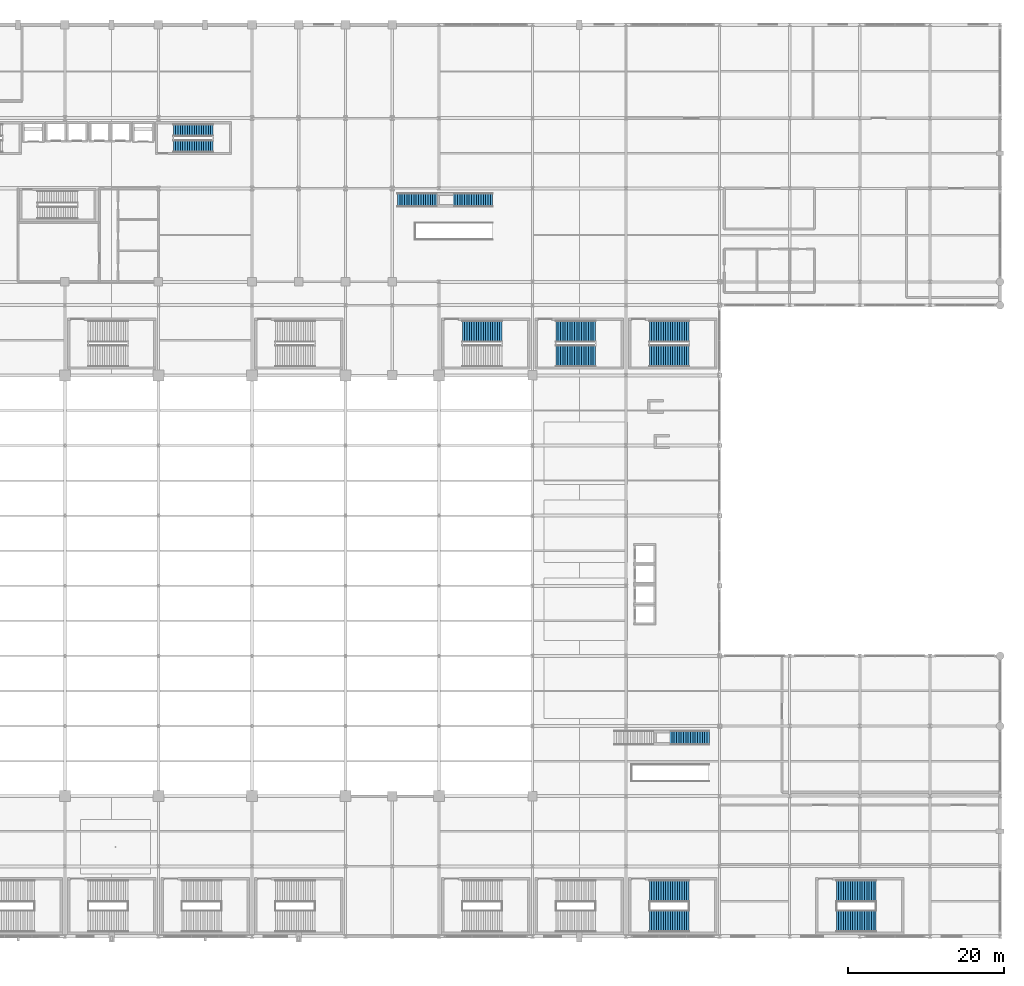
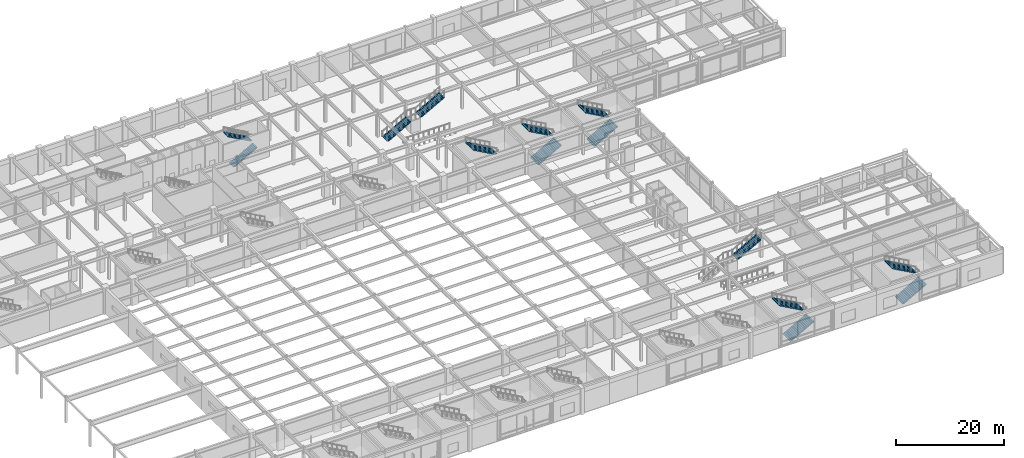
# One storey, part 94 of 105: 14 stair flights, 8 elements without a shape of their own.
"""IFC4 building model written with IfcOpenShell, lengths in metres."""

from ifc_helpers import new_model, si_unit, direction, frame, origin, place, context, subcontext, project, spatial, polyline, outline, extrude, material, type_object, element, aggregate, save


model = new_model("IFC4")

# Units and contexts
model_context = context("Model", 3, precision=1e-05, world=origin(), true_north=direction((0.0, 1.0)))
body_context = subcontext(model_context, "Body", "Model", "MODEL_VIEW")
ifc_project = project(units=[si_unit("LENGTHUNIT", "METRE"), si_unit("AREAUNIT", "SQUARE_METRE"), si_unit("VOLUMEUNIT", "CUBIC_METRE"), si_unit("PLANEANGLEUNIT", "RADIAN"), si_unit("MASSUNIT", "GRAM", prefix="KILO")], contexts=[model_context])

# Site, building, storey
site_placement = place(None, origin())
site = spatial("IfcSite", under=ifc_project, at=site_placement, CompositionType="ELEMENT")
building_placement = place(site_placement, origin())
building = spatial("IfcBuilding", under=site, at=building_placement, Name="Kaldorvane Square Convention Centre", CompositionType="ELEMENT")
storey_placement = place(building_placement, frame((0.0, 0.0, 6.0)))
storey = spatial("IfcBuildingStorey", under=building, at=storey_placement, Name="L01", CompositionType="ELEMENT", Elevation=6.0)

# Stair, stair flight
ifc_material_1 = material(Name="Steel ASTM A500 Gr. C", Category="steel")
stair_type_1 = type_object("IfcStairType", Name="ST-STR-1800-6000", PredefinedType="STRAIGHT_RUN_STAIR", material=ifc_material_1)
stair_1_placement = place(storey_placement, origin())
stair_1 = element("IfcStair", 1, at=stair_1_placement, inside=storey, type_object=stair_type_1, Name="East Foyer Grand Stair F2 (L01)", PredefinedType="STRAIGHT_RUN_STAIR")
stair_flight_type_1 = type_object("IfcStairFlightType", Name="SF-FEAT-1800-18R", PredefinedType="STRAIGHT", material=ifc_material_1)
stair_flight_1_placement = place(storey_placement, frame((131.5800018310547, 25.5, 3.0), z_axis=(0.0, 0.0, 1.0), x_axis=(1.0, 0.0, 0.0)))
stair_flight_1 = element("IfcStairFlight", 2, at=stair_flight_1_placement, type_object=stair_flight_type_1, Name="East Foyer Grand Stair F2 Upper Flight (L01)", NumberOfRisers=18, NumberOfTreads=17, PredefinedType="STRAIGHT", RiserHeight=0.166666667, TreadLength=0.3, context=body_context, shape_type="SweptSolid", body=[
    extrude(outline(polyline([(0.0, 0.0), (0.0, 0.1666717529296875), (0.3000030517578125, 0.1666717529296875), (0.3000030517578125, 0.3333282470703125), (0.600006103515625, 0.3333282470703125), (0.600006103515625, 0.5), (0.899993896484375, 0.5), (0.899993896484375, 0.6666717529296875), (1.1999969482421875, 0.6666717529296875), (1.1999969482421875, 0.8333282470703125), (1.5, 0.8333282470703125), (1.5, 1.0), (1.8000030517578125, 1.0), (1.8000030517578125, 1.1666717529296875), (2.100006103515625, 1.1666717529296875), (2.100006103515625, 1.3333282470703125), (2.399993896484375, 1.3333282470703125), (2.399993896484375, 1.5), (2.6999969482421875, 1.5), (2.6999969482421875, 1.6666717529296875), (3.0, 1.6666717529296875), (3.0, 1.8333282470703125), (3.3000030517578125, 1.8333282470703125), (3.3000030517578125, 2.0), (3.600006103515625, 2.0), (3.600006103515625, 2.1666717529296875), (3.899993896484375, 2.1666717529296875), (3.899993896484375, 2.3333282470703125), (4.1999969482421875, 2.3333282470703125), (4.1999969482421875, 2.5), (4.5, 2.5), (4.5, 2.6666717529296875), (4.8000030517578125, 2.6666717529296875), (4.8000030517578125, 2.8333282470703125), (5.100006103515625, 2.8333282470703125), (5.100006103515625, 3.0), (5.100006103515625, 2.6045379638671875), (0.4118194580078125, 0.0), (0.0, 0.0)])), frame((0.0, 0.899993896484375, 0.0), z_axis=(0.0, -1.0, 0.0), x_axis=(1.0, 0.0, 0.0)), (0.0, 0.0, 1.0), 1.8000030517578125),
])
aggregate(stair_1, [stair_flight_1])

# Stair, stair flights
stair_2_placement = place(storey_placement, origin())
stair_2 = element("IfcStair", 3, at=stair_2_placement, inside=storey, type_object=stair_type_1, Name="Hotel Atrium Grand Stair F6 (L01)", PredefinedType="STRAIGHT_RUN_STAIR")
stair_flight_2_placement = place(storey_placement, frame((96.67999267578125, 94.5, 0.0), z_axis=(0.0, 0.0, 1.0), x_axis=(1.0, 0.0, 0.0)))
stair_flight_2 = element("IfcStairFlight", 4, at=stair_flight_2_placement, type_object=stair_flight_type_1, Name="Hotel Atrium Grand Stair F6 Lower Flight (L01)", NumberOfRisers=18, NumberOfTreads=17, PredefinedType="STRAIGHT", RiserHeight=0.166666667, TreadLength=0.3, context=body_context, shape_type="SweptSolid", body=[
    extrude(outline(polyline([(0.0, 0.0), (0.0, 0.1666717529296875), (0.3000030517578125, 0.1666717529296875), (0.3000030517578125, 0.3333282470703125), (0.600006103515625, 0.3333282470703125), (0.600006103515625, 0.5), (0.899993896484375, 0.5), (0.899993896484375, 0.6666717529296875), (1.1999969482421875, 0.6666717529296875), (1.1999969482421875, 0.8333282470703125), (1.5, 0.8333282470703125), (1.5, 1.0), (1.8000030517578125, 1.0), (1.8000030517578125, 1.1666717529296875), (2.100006103515625, 1.1666717529296875), (2.100006103515625, 1.3333282470703125), (2.399993896484375, 1.3333282470703125), (2.399993896484375, 1.5), (2.6999969482421875, 1.5), (2.6999969482421875, 1.6666717529296875), (3.0, 1.6666717529296875), (3.0, 1.8333282470703125), (3.3000030517578125, 1.8333282470703125), (3.3000030517578125, 2.0), (3.600006103515625, 2.0), (3.600006103515625, 2.1666717529296875), (3.899993896484375, 2.1666717529296875), (3.899993896484375, 2.3333282470703125), (4.1999969482421875, 2.3333282470703125), (4.1999969482421875, 2.5), (4.5, 2.5), (4.5, 2.6666717529296875), (4.8000030517578125, 2.6666717529296875), (4.8000030517578125, 2.8333282470703125), (5.100006103515625, 2.8333282470703125), (5.100006103515625, 3.0), (5.100006103515625, 2.6045379638671875), (0.4118194580078125, 0.0), (0.0, 0.0)])), frame((0.0, 0.899993896484375, 0.0), z_axis=(0.0, -1.0, 0.0), x_axis=(1.0, 0.0, 0.0)), (0.0, 0.0, 1.0), 1.8000030517578125),
])
stair_flight_3_placement = place(storey_placement, frame((103.77999877929688, 94.5, 3.0), z_axis=(0.0, 0.0, 1.0), x_axis=(1.0, 0.0, 0.0)))
stair_flight_3 = element("IfcStairFlight", 5, at=stair_flight_3_placement, type_object=stair_flight_type_1, Name="Hotel Atrium Grand Stair F6 Upper Flight (L01)", NumberOfRisers=18, NumberOfTreads=17, PredefinedType="STRAIGHT", RiserHeight=0.166666667, TreadLength=0.3, context=body_context, shape_type="SweptSolid", body=[
    extrude(outline(polyline([(0.0, 0.0), (0.0, 0.1666717529296875), (0.3000030517578125, 0.1666717529296875), (0.3000030517578125, 0.3333282470703125), (0.600006103515625, 0.3333282470703125), (0.600006103515625, 0.5), (0.899993896484375, 0.5), (0.899993896484375, 0.6666717529296875), (1.1999969482421875, 0.6666717529296875), (1.1999969482421875, 0.8333282470703125), (1.5, 0.8333282470703125), (1.5, 1.0), (1.8000030517578125, 1.0), (1.8000030517578125, 1.1666717529296875), (2.100006103515625, 1.1666717529296875), (2.100006103515625, 1.3333282470703125), (2.399993896484375, 1.3333282470703125), (2.399993896484375, 1.5), (2.6999969482421875, 1.5), (2.6999969482421875, 1.6666717529296875), (3.0, 1.6666717529296875), (3.0, 1.8333282470703125), (3.3000030517578125, 1.8333282470703125), (3.3000030517578125, 2.0), (3.600006103515625, 2.0), (3.600006103515625, 2.1666717529296875), (3.899993896484375, 2.1666717529296875), (3.899993896484375, 2.3333282470703125), (4.1999969482421875, 2.3333282470703125), (4.1999969482421875, 2.5), (4.5, 2.5), (4.5, 2.6666717529296875), (4.8000030517578125, 2.6666717529296875), (4.8000030517578125, 2.8333282470703125), (5.100006103515625, 2.8333282470703125), (5.100006103515625, 3.0), (5.100006103515625, 2.6045379638671875), (0.4118194580078125, 0.0), (0.0, 0.0)])), frame((0.0, 0.899993896484375, 0.0), z_axis=(0.0, -1.0, 0.0), x_axis=(1.0, 0.0, 0.0)), (0.0, 0.0, 1.0), 1.8000030517578125),
])
aggregate(stair_2, [stair_flight_2, stair_flight_3])

ifc_material_2 = material(Name="Concrete f'c = 42 MPa (Normalweight)", Category="concrete")
stair_type_2 = type_object("IfcStairType", Name="ST-DL-1600-6000", PredefinedType="HALF_TURN_STAIR", material=ifc_material_2)
stair_3_placement = place(storey_placement, origin())
stair_3 = element("IfcStair", 6, at=stair_3_placement, inside=storey, type_object=stair_type_2, Name="Tower Exit Stair T2 (L01)", PredefinedType="HALF_TURN_STAIR")
stair_flight_type_2 = type_object("IfcStairFlightType", Name="SF-STR-1600-18R", PredefinedType="STRAIGHT", material=ifc_material_2)
stair_flight_4_placement = place(storey_placement, frame((67.89999389648438, 101.41000366210938, 0.0), z_axis=(0.0, 0.0, 1.0), x_axis=(1.0, 0.0, 0.0)))
stair_flight_4 = element("IfcStairFlight", 7, at=stair_flight_4_placement, type_object=stair_flight_type_2, Name="Tower Exit Stair T2 Flight 1 (L01)", NumberOfRisers=18, NumberOfTreads=17, PredefinedType="STRAIGHT", RiserHeight=0.166666667, TreadLength=0.3, context=body_context, shape_type="SweptSolid", body=[
    extrude(outline(polyline([(0.0, 0.0), (0.0, 0.1666717529296875), (0.3000030517578125, 0.1666717529296875), (0.3000030517578125, 0.3333282470703125), (0.600006103515625, 0.3333282470703125), (0.600006103515625, 0.5), (0.899993896484375, 0.5), (0.899993896484375, 0.6666717529296875), (1.1999969482421875, 0.6666717529296875), (1.1999969482421875, 0.8333282470703125), (1.5, 0.8333282470703125), (1.5, 1.0), (1.8000030517578125, 1.0), (1.8000030517578125, 1.1666717529296875), (2.100006103515625, 1.1666717529296875), (2.100006103515625, 1.3333282470703125), (2.399993896484375, 1.3333282470703125), (2.399993896484375, 1.5), (2.6999969482421875, 1.5), (2.6999969482421875, 1.6666717529296875), (3.0, 1.6666717529296875), (3.0, 1.8333282470703125), (3.3000030517578125, 1.8333282470703125), (3.3000030517578125, 2.0), (3.600006103515625, 2.0), (3.600006103515625, 2.1666717529296875), (3.899993896484375, 2.1666717529296875), (3.899993896484375, 2.3333282470703125), (4.1999969482421875, 2.3333282470703125), (4.1999969482421875, 2.5), (4.5, 2.5), (4.5, 2.6666717529296875), (4.8000030517578125, 2.6666717529296875), (4.8000030517578125, 2.8333282470703125), (5.100006103515625, 2.8333282470703125), (5.100006103515625, 3.0), (5.100006103515625, 2.6045379638671875), (0.4118194580078125, 0.0), (0.0, 0.0)])), frame((0.0, 0.8000030517578125, 0.0), z_axis=(0.0, -1.0, 0.0), x_axis=(1.0, 0.0, 0.0)), (0.0, 0.0, 1.0), 1.600006103515625),
])
stair_flight_5_placement = place(storey_placement, frame((73.0, 103.44999694824219, 3.0), z_axis=(0.0, 0.0, 1.0), x_axis=(-1.0, 0.0, 0.0)))
stair_flight_5 = element("IfcStairFlight", 8, at=stair_flight_5_placement, type_object=stair_flight_type_2, Name="Tower Exit Stair T2 Flight 2 (L01)", NumberOfRisers=18, NumberOfTreads=17, PredefinedType="STRAIGHT", RiserHeight=0.166666667, TreadLength=0.3, context=body_context, shape_type="SweptSolid", body=[
    extrude(outline(polyline([(0.0, 0.0), (0.0, 0.1666717529296875), (0.3000030517578125, 0.1666717529296875), (0.3000030517578125, 0.3333282470703125), (0.600006103515625, 0.3333282470703125), (0.600006103515625, 0.5), (0.899993896484375, 0.5), (0.899993896484375, 0.6666717529296875), (1.1999969482421875, 0.6666717529296875), (1.1999969482421875, 0.8333282470703125), (1.5, 0.8333282470703125), (1.5, 1.0), (1.8000030517578125, 1.0), (1.8000030517578125, 1.1666717529296875), (2.100006103515625, 1.1666717529296875), (2.100006103515625, 1.3333282470703125), (2.399993896484375, 1.3333282470703125), (2.399993896484375, 1.5), (2.6999969482421875, 1.5), (2.6999969482421875, 1.6666717529296875), (3.0, 1.6666717529296875), (3.0, 1.8333282470703125), (3.3000030517578125, 1.8333282470703125), (3.3000030517578125, 2.0), (3.600006103515625, 2.0), (3.600006103515625, 2.1666717529296875), (3.899993896484375, 2.1666717529296875), (3.899993896484375, 2.3333282470703125), (4.1999969482421875, 2.3333282470703125), (4.1999969482421875, 2.5), (4.5, 2.5), (4.5, 2.6666717529296875), (4.8000030517578125, 2.6666717529296875), (4.8000030517578125, 2.8333282470703125), (5.100006103515625, 2.8333282470703125), (5.100006103515625, 3.0), (5.100006103515625, 2.6045379638671875), (0.4118194580078125, 0.0), (0.0, 0.0)])), frame((0.0, 0.8000030517578125, 0.0), z_axis=(0.0, -1.0, 0.0), x_axis=(1.0, 0.0, 0.0)), (0.0, 0.0, 1.0), 1.600006103515625),
])
aggregate(stair_3, [stair_flight_4, stair_flight_5])

stair_type_3 = type_object("IfcStairType", Name="ST-DL-2800-6000-D6710", PredefinedType="HALF_TURN_STAIR", material=ifc_material_2)
stair_4_placement = place(storey_placement, origin())
stair_4 = element("IfcStair", 9, at=stair_4_placement, inside=storey, type_object=stair_type_3, Name="Convention Exit Stair C10 (L01)", PredefinedType="HALF_TURN_STAIR")
stair_flight_type_3 = type_object("IfcStairFlightType", Name="SF-STR-2800-18R", PredefinedType="STRAIGHT", material=ifc_material_2)
stair_flight_6_placement = place(storey_placement, frame((128.99000549316406, 1.9499969482421875, 0.0), z_axis=(0.0, 0.0, 1.0), x_axis=(1.0, 0.0, 0.0)))
stair_flight_6 = element("IfcStairFlight", 10, at=stair_flight_6_placement, type_object=stair_flight_type_3, Name="Convention Exit Stair C10 Flight 1 (L01)", NumberOfRisers=18, NumberOfTreads=17, PredefinedType="STRAIGHT", RiserHeight=0.166666667, TreadLength=0.3, context=body_context, shape_type="SweptSolid", body=[
    extrude(outline(polyline([(0.0, 0.0), (0.0, 0.1666717529296875), (0.3000030517578125, 0.1666717529296875), (0.3000030517578125, 0.3333282470703125), (0.600006103515625, 0.3333282470703125), (0.600006103515625, 0.5), (0.899993896484375, 0.5), (0.899993896484375, 0.6666717529296875), (1.1999969482421875, 0.6666717529296875), (1.1999969482421875, 0.8333282470703125), (1.5, 0.8333282470703125), (1.5, 1.0), (1.8000030517578125, 1.0), (1.8000030517578125, 1.1666717529296875), (2.100006103515625, 1.1666717529296875), (2.100006103515625, 1.3333282470703125), (2.399993896484375, 1.3333282470703125), (2.399993896484375, 1.5), (2.6999969482421875, 1.5), (2.6999969482421875, 1.6666717529296875), (3.0, 1.6666717529296875), (3.0, 1.8333282470703125), (3.3000030517578125, 1.8333282470703125), (3.3000030517578125, 2.0), (3.600006103515625, 2.0), (3.600006103515625, 2.1666717529296875), (3.899993896484375, 2.1666717529296875), (3.899993896484375, 2.3333282470703125), (4.1999969482421875, 2.3333282470703125), (4.1999969482421875, 2.5), (4.5, 2.5), (4.5, 2.6666717529296875), (4.8000030517578125, 2.6666717529296875), (4.8000030517578125, 2.8333282470703125), (5.100006103515625, 2.8333282470703125), (5.100006103515625, 3.0), (5.100006103515625, 2.6045379638671875), (0.4118194580078125, 0.0), (0.0, 0.0)])), frame((0.0, 1.399993896484375, 0.0), z_axis=(0.0, -1.0, 0.0), x_axis=(1.0, 0.0, 0.0)), (0.0, 0.0, 1.0), 2.8000030517578125),
])
stair_flight_7_placement = place(storey_placement, frame((134.08999633789062, 5.8600006103515625, 3.0), z_axis=(0.0, 0.0, 1.0), x_axis=(-1.0, 0.0, 0.0)))
stair_flight_7 = element("IfcStairFlight", 11, at=stair_flight_7_placement, type_object=stair_flight_type_3, Name="Convention Exit Stair C10 Flight 2 (L01)", NumberOfRisers=18, NumberOfTreads=17, PredefinedType="STRAIGHT", RiserHeight=0.166666667, TreadLength=0.3, context=body_context, shape_type="SweptSolid", body=[
    extrude(outline(polyline([(0.0, 0.0), (0.0, 0.1666717529296875), (0.3000030517578125, 0.1666717529296875), (0.3000030517578125, 0.3333282470703125), (0.600006103515625, 0.3333282470703125), (0.600006103515625, 0.5), (0.899993896484375, 0.5), (0.899993896484375, 0.6666717529296875), (1.1999969482421875, 0.6666717529296875), (1.1999969482421875, 0.8333282470703125), (1.5, 0.8333282470703125), (1.5, 1.0), (1.8000030517578125, 1.0), (1.8000030517578125, 1.1666717529296875), (2.100006103515625, 1.1666717529296875), (2.100006103515625, 1.3333282470703125), (2.399993896484375, 1.3333282470703125), (2.399993896484375, 1.5), (2.6999969482421875, 1.5), (2.6999969482421875, 1.6666717529296875), (3.0, 1.6666717529296875), (3.0, 1.8333282470703125), (3.3000030517578125, 1.8333282470703125), (3.3000030517578125, 2.0), (3.600006103515625, 2.0), (3.600006103515625, 2.1666717529296875), (3.899993896484375, 2.1666717529296875), (3.899993896484375, 2.3333282470703125), (4.1999969482421875, 2.3333282470703125), (4.1999969482421875, 2.5), (4.5, 2.5), (4.5, 2.6666717529296875), (4.8000030517578125, 2.6666717529296875), (4.8000030517578125, 2.8333282470703125), (5.100006103515625, 2.8333282470703125), (5.100006103515625, 3.0), (5.100006103515625, 2.6045379638671875), (0.4118194580078125, 0.0), (0.0, 0.0)])), frame((0.0, 1.399993896484375, 0.0), z_axis=(0.0, -1.0, 0.0), x_axis=(1.0, 0.0, 0.0)), (0.0, 0.0, 1.0), 2.8000030517578125),
])
aggregate(stair_4, [stair_flight_6, stair_flight_7])

stair_5_placement = place(storey_placement, origin())
stair_5 = element("IfcStair", 12, at=stair_5_placement, inside=storey, type_object=stair_type_3, Name="Convention Exit Stair C11 (L01)", PredefinedType="HALF_TURN_STAIR")
stair_flight_8_placement = place(storey_placement, frame((152.99000549316406, 1.9499969482421875, 0.0), z_axis=(0.0, 0.0, 1.0), x_axis=(1.0, 0.0, 0.0)))
stair_flight_8 = element("IfcStairFlight", 13, at=stair_flight_8_placement, type_object=stair_flight_type_3, Name="Convention Exit Stair C11 Flight 1 (L01)", NumberOfRisers=18, NumberOfTreads=17, PredefinedType="STRAIGHT", RiserHeight=0.166666667, TreadLength=0.3, context=body_context, shape_type="SweptSolid", body=[
    extrude(outline(polyline([(0.0, 0.0), (0.0, 0.1666717529296875), (0.3000030517578125, 0.1666717529296875), (0.3000030517578125, 0.3333282470703125), (0.600006103515625, 0.3333282470703125), (0.600006103515625, 0.5), (0.899993896484375, 0.5), (0.899993896484375, 0.6666717529296875), (1.1999969482421875, 0.6666717529296875), (1.1999969482421875, 0.8333282470703125), (1.5, 0.8333282470703125), (1.5, 1.0), (1.8000030517578125, 1.0), (1.8000030517578125, 1.1666717529296875), (2.100006103515625, 1.1666717529296875), (2.100006103515625, 1.3333282470703125), (2.399993896484375, 1.3333282470703125), (2.399993896484375, 1.5), (2.6999969482421875, 1.5), (2.6999969482421875, 1.6666717529296875), (3.0, 1.6666717529296875), (3.0, 1.8333282470703125), (3.3000030517578125, 1.8333282470703125), (3.3000030517578125, 2.0), (3.600006103515625, 2.0), (3.600006103515625, 2.1666717529296875), (3.899993896484375, 2.1666717529296875), (3.899993896484375, 2.3333282470703125), (4.1999969482421875, 2.3333282470703125), (4.1999969482421875, 2.5), (4.5, 2.5), (4.5, 2.6666717529296875), (4.8000030517578125, 2.6666717529296875), (4.8000030517578125, 2.8333282470703125), (5.100006103515625, 2.8333282470703125), (5.100006103515625, 3.0), (5.100006103515625, 2.6045379638671875), (0.4118194580078125, 0.0), (0.0, 0.0)])), frame((0.0, 1.399993896484375, 0.0), z_axis=(0.0, -1.0, 0.0), x_axis=(1.0, 0.0, 0.0)), (0.0, 0.0, 1.0), 2.8000030517578125),
])
stair_flight_9_placement = place(storey_placement, frame((158.08999633789062, 5.8600006103515625, 3.0), z_axis=(0.0, 0.0, 1.0), x_axis=(-1.0, 0.0, 0.0)))
stair_flight_9 = element("IfcStairFlight", 14, at=stair_flight_9_placement, type_object=stair_flight_type_3, Name="Convention Exit Stair C11 Flight 2 (L01)", NumberOfRisers=18, NumberOfTreads=17, PredefinedType="STRAIGHT", RiserHeight=0.166666667, TreadLength=0.3, context=body_context, shape_type="SweptSolid", body=[
    extrude(outline(polyline([(0.0, 0.0), (0.0, 0.1666717529296875), (0.3000030517578125, 0.1666717529296875), (0.3000030517578125, 0.3333282470703125), (0.600006103515625, 0.3333282470703125), (0.600006103515625, 0.5), (0.899993896484375, 0.5), (0.899993896484375, 0.6666717529296875), (1.1999969482421875, 0.6666717529296875), (1.1999969482421875, 0.8333282470703125), (1.5, 0.8333282470703125), (1.5, 1.0), (1.8000030517578125, 1.0), (1.8000030517578125, 1.1666717529296875), (2.100006103515625, 1.1666717529296875), (2.100006103515625, 1.3333282470703125), (2.399993896484375, 1.3333282470703125), (2.399993896484375, 1.5), (2.6999969482421875, 1.5), (2.6999969482421875, 1.6666717529296875), (3.0, 1.6666717529296875), (3.0, 1.8333282470703125), (3.3000030517578125, 1.8333282470703125), (3.3000030517578125, 2.0), (3.600006103515625, 2.0), (3.600006103515625, 2.1666717529296875), (3.899993896484375, 2.1666717529296875), (3.899993896484375, 2.3333282470703125), (4.1999969482421875, 2.3333282470703125), (4.1999969482421875, 2.5), (4.5, 2.5), (4.5, 2.6666717529296875), (4.8000030517578125, 2.6666717529296875), (4.8000030517578125, 2.8333282470703125), (5.100006103515625, 2.8333282470703125), (5.100006103515625, 3.0), (5.100006103515625, 2.6045379638671875), (0.4118194580078125, 0.0), (0.0, 0.0)])), frame((0.0, 1.399993896484375, 0.0), z_axis=(0.0, -1.0, 0.0), x_axis=(1.0, 0.0, 0.0)), (0.0, 0.0, 1.0), 2.8000030517578125),
])
aggregate(stair_5, [stair_flight_8, stair_flight_9])

# Stair, stair flight
stair_type_4 = type_object("IfcStairType", Name="ST-DL-2800-6000", PredefinedType="HALF_TURN_STAIR", material=ifc_material_2)
stair_6_placement = place(storey_placement, origin())
stair_6 = element("IfcStair", 15, at=stair_6_placement, inside=storey, type_object=stair_type_4, Name="Convention Exit Stair C16 (L01)", PredefinedType="HALF_TURN_STAIR")
stair_flight_10_placement = place(storey_placement, frame((110.08999633789062, 77.66000366210938, 3.0), z_axis=(0.0, 0.0, 1.0), x_axis=(-1.0, 0.0, 0.0)))
stair_flight_10 = element("IfcStairFlight", 16, at=stair_flight_10_placement, type_object=stair_flight_type_3, Name="Convention Exit Stair C16 Flight 2 (L01)", NumberOfRisers=18, NumberOfTreads=17, PredefinedType="STRAIGHT", RiserHeight=0.166666667, TreadLength=0.3, context=body_context, shape_type="SweptSolid", body=[
    extrude(outline(polyline([(0.0, 0.0), (0.0, 0.1666717529296875), (0.3000030517578125, 0.1666717529296875), (0.3000030517578125, 0.3333282470703125), (0.600006103515625, 0.3333282470703125), (0.600006103515625, 0.5), (0.899993896484375, 0.5), (0.899993896484375, 0.6666717529296875), (1.1999969482421875, 0.6666717529296875), (1.1999969482421875, 0.8333282470703125), (1.5, 0.8333282470703125), (1.5, 1.0), (1.8000030517578125, 1.0), (1.8000030517578125, 1.1666717529296875), (2.100006103515625, 1.1666717529296875), (2.100006103515625, 1.3333282470703125), (2.399993896484375, 1.3333282470703125), (2.399993896484375, 1.5), (2.6999969482421875, 1.5), (2.6999969482421875, 1.6666717529296875), (3.0, 1.6666717529296875), (3.0, 1.8333282470703125), (3.3000030517578125, 1.8333282470703125), (3.3000030517578125, 2.0), (3.600006103515625, 2.0), (3.600006103515625, 2.1666717529296875), (3.899993896484375, 2.1666717529296875), (3.899993896484375, 2.3333282470703125), (4.1999969482421875, 2.3333282470703125), (4.1999969482421875, 2.5), (4.5, 2.5), (4.5, 2.6666717529296875), (4.8000030517578125, 2.6666717529296875), (4.8000030517578125, 2.8333282470703125), (5.100006103515625, 2.8333282470703125), (5.100006103515625, 3.0), (5.100006103515625, 2.6045379638671875), (0.4118194580078125, 0.0), (0.0, 0.0)])), frame((0.0, 1.399993896484375, 0.0), z_axis=(0.0, -1.0, 0.0), x_axis=(1.0, 0.0, 0.0)), (0.0, 0.0, 1.0), 2.8000030517578125),
])
aggregate(stair_6, [stair_flight_10])

# Stair, stair flights
stair_7_placement = place(storey_placement, origin())
stair_7 = element("IfcStair", 17, at=stair_7_placement, inside=storey, type_object=stair_type_4, Name="Convention Exit Stair C17 (L01)", PredefinedType="HALF_TURN_STAIR")
stair_flight_11_placement = place(storey_placement, frame((116.99000549316406, 74.5, 0.0), z_axis=(0.0, 0.0, 1.0), x_axis=(1.0, 0.0, 0.0)))
stair_flight_11 = element("IfcStairFlight", 18, at=stair_flight_11_placement, type_object=stair_flight_type_3, Name="Convention Exit Stair C17 Flight 1 (L01)", NumberOfRisers=18, NumberOfTreads=17, PredefinedType="STRAIGHT", RiserHeight=0.166666667, TreadLength=0.3, context=body_context, shape_type="SweptSolid", body=[
    extrude(outline(polyline([(0.0, 0.0), (0.0, 0.1666717529296875), (0.3000030517578125, 0.1666717529296875), (0.3000030517578125, 0.3333282470703125), (0.600006103515625, 0.3333282470703125), (0.600006103515625, 0.5), (0.899993896484375, 0.5), (0.899993896484375, 0.6666717529296875), (1.1999969482421875, 0.6666717529296875), (1.1999969482421875, 0.8333282470703125), (1.5, 0.8333282470703125), (1.5, 1.0), (1.8000030517578125, 1.0), (1.8000030517578125, 1.1666717529296875), (2.100006103515625, 1.1666717529296875), (2.100006103515625, 1.3333282470703125), (2.399993896484375, 1.3333282470703125), (2.399993896484375, 1.5), (2.6999969482421875, 1.5), (2.6999969482421875, 1.6666717529296875), (3.0, 1.6666717529296875), (3.0, 1.8333282470703125), (3.3000030517578125, 1.8333282470703125), (3.3000030517578125, 2.0), (3.600006103515625, 2.0), (3.600006103515625, 2.1666717529296875), (3.899993896484375, 2.1666717529296875), (3.899993896484375, 2.3333282470703125), (4.1999969482421875, 2.3333282470703125), (4.1999969482421875, 2.5), (4.5, 2.5), (4.5, 2.6666717529296875), (4.8000030517578125, 2.6666717529296875), (4.8000030517578125, 2.8333282470703125), (5.100006103515625, 2.8333282470703125), (5.100006103515625, 3.0), (5.100006103515625, 2.6045379638671875), (0.4118194580078125, 0.0), (0.0, 0.0)])), frame((0.0, 1.399993896484375, 0.0), z_axis=(0.0, -1.0, 0.0), x_axis=(1.0, 0.0, 0.0)), (0.0, 0.0, 1.0), 2.8000030517578125),
])
stair_flight_12_placement = place(storey_placement, frame((122.08999633789062, 77.66000366210938, 3.0), z_axis=(0.0, 0.0, 1.0), x_axis=(-1.0, 0.0, 0.0)))
stair_flight_12 = element("IfcStairFlight", 19, at=stair_flight_12_placement, type_object=stair_flight_type_3, Name="Convention Exit Stair C17 Flight 2 (L01)", NumberOfRisers=18, NumberOfTreads=17, PredefinedType="STRAIGHT", RiserHeight=0.166666667, TreadLength=0.3, context=body_context, shape_type="SweptSolid", body=[
    extrude(outline(polyline([(0.0, 0.0), (0.0, 0.1666717529296875), (0.3000030517578125, 0.1666717529296875), (0.3000030517578125, 0.3333282470703125), (0.600006103515625, 0.3333282470703125), (0.600006103515625, 0.5), (0.899993896484375, 0.5), (0.899993896484375, 0.6666717529296875), (1.1999969482421875, 0.6666717529296875), (1.1999969482421875, 0.8333282470703125), (1.5, 0.8333282470703125), (1.5, 1.0), (1.8000030517578125, 1.0), (1.8000030517578125, 1.1666717529296875), (2.100006103515625, 1.1666717529296875), (2.100006103515625, 1.3333282470703125), (2.399993896484375, 1.3333282470703125), (2.399993896484375, 1.5), (2.6999969482421875, 1.5), (2.6999969482421875, 1.6666717529296875), (3.0, 1.6666717529296875), (3.0, 1.8333282470703125), (3.3000030517578125, 1.8333282470703125), (3.3000030517578125, 2.0), (3.600006103515625, 2.0), (3.600006103515625, 2.1666717529296875), (3.899993896484375, 2.1666717529296875), (3.899993896484375, 2.3333282470703125), (4.1999969482421875, 2.3333282470703125), (4.1999969482421875, 2.5), (4.5, 2.5), (4.5, 2.6666717529296875), (4.8000030517578125, 2.6666717529296875), (4.8000030517578125, 2.8333282470703125), (5.100006103515625, 2.8333282470703125), (5.100006103515625, 3.0), (5.100006103515625, 2.6045379638671875), (0.4118194580078125, 0.0), (0.0, 0.0)])), frame((0.0, 1.399993896484375, 0.0), z_axis=(0.0, -1.0, 0.0), x_axis=(1.0, 0.0, 0.0)), (0.0, 0.0, 1.0), 2.8000030517578125),
])
aggregate(stair_7, [stair_flight_11, stair_flight_12])

stair_8_placement = place(storey_placement, origin())
stair_8 = element("IfcStair", 20, at=stair_8_placement, inside=storey, type_object=stair_type_4, Name="Convention Exit Stair C18 (L01)", PredefinedType="HALF_TURN_STAIR")
stair_flight_13_placement = place(storey_placement, frame((128.99000549316406, 74.5, 0.0), z_axis=(0.0, 0.0, 1.0), x_axis=(1.0, 0.0, 0.0)))
stair_flight_13 = element("IfcStairFlight", 21, at=stair_flight_13_placement, type_object=stair_flight_type_3, Name="Convention Exit Stair C18 Flight 1 (L01)", NumberOfRisers=18, NumberOfTreads=17, PredefinedType="STRAIGHT", RiserHeight=0.166666667, TreadLength=0.3, context=body_context, shape_type="SweptSolid", body=[
    extrude(outline(polyline([(0.0, 0.0), (0.0, 0.1666717529296875), (0.3000030517578125, 0.1666717529296875), (0.3000030517578125, 0.3333282470703125), (0.600006103515625, 0.3333282470703125), (0.600006103515625, 0.5), (0.899993896484375, 0.5), (0.899993896484375, 0.6666717529296875), (1.1999969482421875, 0.6666717529296875), (1.1999969482421875, 0.8333282470703125), (1.5, 0.8333282470703125), (1.5, 1.0), (1.8000030517578125, 1.0), (1.8000030517578125, 1.1666717529296875), (2.100006103515625, 1.1666717529296875), (2.100006103515625, 1.3333282470703125), (2.399993896484375, 1.3333282470703125), (2.399993896484375, 1.5), (2.6999969482421875, 1.5), (2.6999969482421875, 1.6666717529296875), (3.0, 1.6666717529296875), (3.0, 1.8333282470703125), (3.3000030517578125, 1.8333282470703125), (3.3000030517578125, 2.0), (3.600006103515625, 2.0), (3.600006103515625, 2.1666717529296875), (3.899993896484375, 2.1666717529296875), (3.899993896484375, 2.3333282470703125), (4.1999969482421875, 2.3333282470703125), (4.1999969482421875, 2.5), (4.5, 2.5), (4.5, 2.6666717529296875), (4.8000030517578125, 2.6666717529296875), (4.8000030517578125, 2.8333282470703125), (5.100006103515625, 2.8333282470703125), (5.100006103515625, 3.0), (5.100006103515625, 2.6045379638671875), (0.4118194580078125, 0.0), (0.0, 0.0)])), frame((0.0, 1.399993896484375, 0.0), z_axis=(0.0, -1.0, 0.0), x_axis=(1.0, 0.0, 0.0)), (0.0, 0.0, 1.0), 2.8000030517578125),
])
stair_flight_14_placement = place(storey_placement, frame((134.08999633789062, 77.66000366210938, 3.0), z_axis=(0.0, 0.0, 1.0), x_axis=(-1.0, 0.0, 0.0)))
stair_flight_14 = element("IfcStairFlight", 22, at=stair_flight_14_placement, type_object=stair_flight_type_3, Name="Convention Exit Stair C18 Flight 2 (L01)", NumberOfRisers=18, NumberOfTreads=17, PredefinedType="STRAIGHT", RiserHeight=0.166666667, TreadLength=0.3, context=body_context, shape_type="SweptSolid", body=[
    extrude(outline(polyline([(0.0, 0.0), (0.0, 0.1666717529296875), (0.3000030517578125, 0.1666717529296875), (0.3000030517578125, 0.3333282470703125), (0.600006103515625, 0.3333282470703125), (0.600006103515625, 0.5), (0.899993896484375, 0.5), (0.899993896484375, 0.6666717529296875), (1.1999969482421875, 0.6666717529296875), (1.1999969482421875, 0.8333282470703125), (1.5, 0.8333282470703125), (1.5, 1.0), (1.8000030517578125, 1.0), (1.8000030517578125, 1.1666717529296875), (2.100006103515625, 1.1666717529296875), (2.100006103515625, 1.3333282470703125), (2.399993896484375, 1.3333282470703125), (2.399993896484375, 1.5), (2.6999969482421875, 1.5), (2.6999969482421875, 1.6666717529296875), (3.0, 1.6666717529296875), (3.0, 1.8333282470703125), (3.3000030517578125, 1.8333282470703125), (3.3000030517578125, 2.0), (3.600006103515625, 2.0), (3.600006103515625, 2.1666717529296875), (3.899993896484375, 2.1666717529296875), (3.899993896484375, 2.3333282470703125), (4.1999969482421875, 2.3333282470703125), (4.1999969482421875, 2.5), (4.5, 2.5), (4.5, 2.6666717529296875), (4.8000030517578125, 2.6666717529296875), (4.8000030517578125, 2.8333282470703125), (5.100006103515625, 2.8333282470703125), (5.100006103515625, 3.0), (5.100006103515625, 2.6045379638671875), (0.4118194580078125, 0.0), (0.0, 0.0)])), frame((0.0, 1.399993896484375, 0.0), z_axis=(0.0, -1.0, 0.0), x_axis=(1.0, 0.0, 0.0)), (0.0, 0.0, 1.0), 2.8000030517578125),
])
aggregate(stair_8, [stair_flight_13, stair_flight_14])

save(model, "model.ifc")
